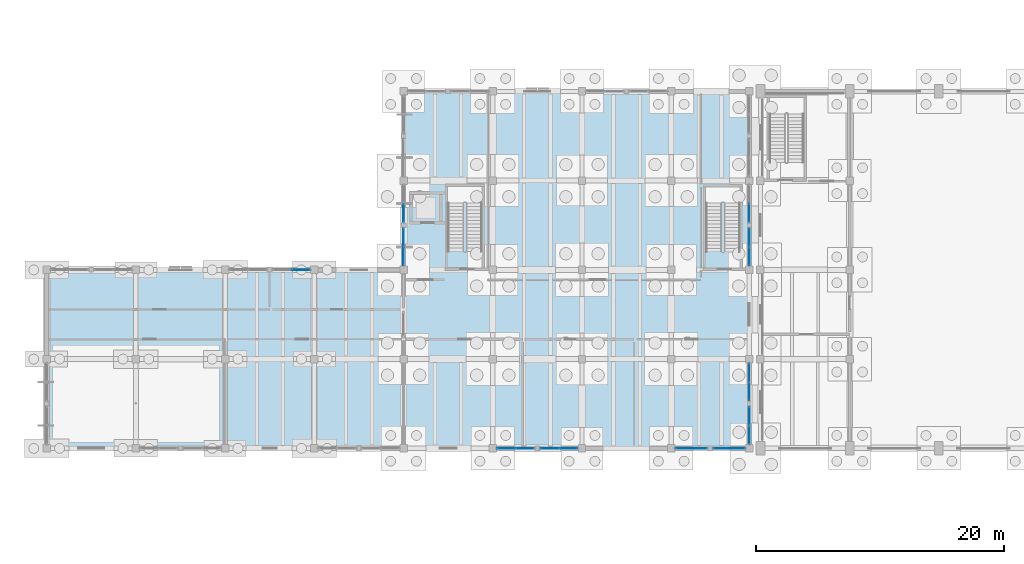
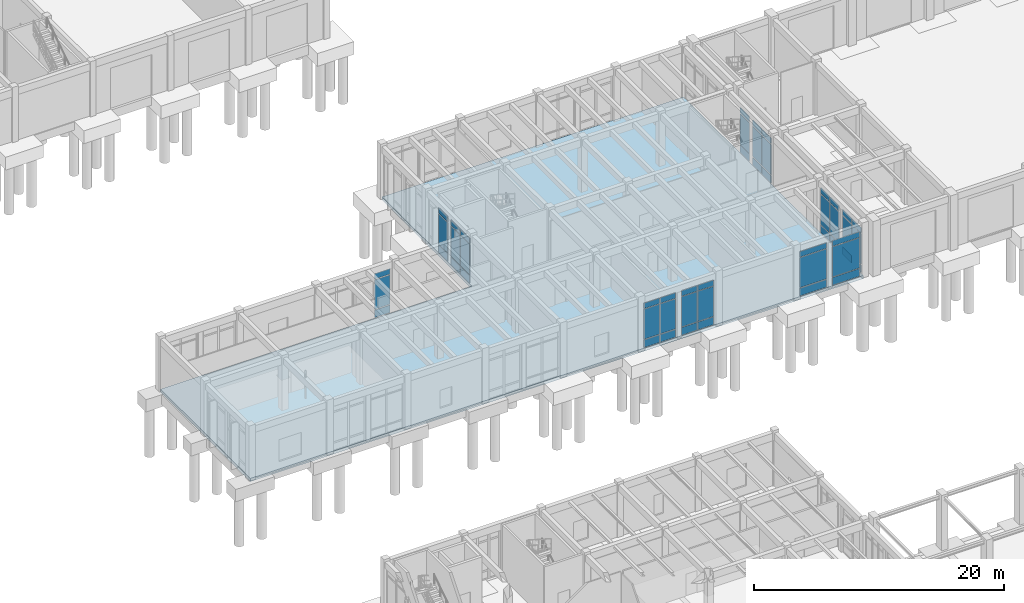
# One storey, part 52 of 93: 51 plates, 1 slab, 11 elements without a shape of their own.
"""IFC4 building model written with IfcOpenShell, lengths in metres."""

import ifcopenshell
import ifcopenshell.guid

model = None  # the IFC model being written
_history = None  # IfcOwnerHistory: only IFC2X3 demands one
_inside = {}  # id of a spatial element -> (the spatial element, [elements in it])
_under = {}  # id of a project, library or spatial element -> (it, [spatial elements below it])
_declared = {}  # id of a project -> (the project, [libraries it declares])
_typed = {}  # id of a type object -> (the type object, [elements of that type])
_made_of = {}  # id of a material, layer set ... -> (it, [elements and type objects made of it])


def new_model(schema):
    """Start an empty IFC model of exactly this schema.

    Asked for "IFC4X3", IfcOpenShell would pick the latest addendum, in which some entities
    have other attributes; the version numbers below select the first issue.
    IFC2X3 requires an IfcOwnerHistory on every rooted entity: one is made here for all.
    """
    global model, _history
    if schema == "IFC4X3":
        model = ifcopenshell.file(schema_version=(4, 3, 0, 0))
    else:
        model = ifcopenshell.file(schema=schema)
    _inside.clear()
    _under.clear()
    _declared.clear()
    _typed.clear()
    _made_of.clear()
    _history = None
    if model.schema == "IFC2X3":
        org = make("IfcOrganization", Name="unknown")
        user = make(
            "IfcPersonAndOrganization",
            ThePerson=make("IfcPerson", FamilyName="unknown"),
            TheOrganization=org,
        )
        app = make(
            "IfcApplication",
            ApplicationDeveloper=org,
            Version="unknown",
            ApplicationFullName="unknown",
            ApplicationIdentifier="unknown",
        )
        _history = make(
            "IfcOwnerHistory",
            OwningUser=user,
            OwningApplication=app,
            ChangeAction="ADDED",
            CreationDate=0,
        )
    return model


def make(cls, **values):
    """One entity of the class cls with the attributes given. An attribute that is None is left unset."""
    return model.create_entity(
        cls, **{name: value for name, value in values.items() if value is not None}
    )


def rooted(cls, **values):
    """An entity with a GlobalId (a new one), such as an element, a storey or a relation."""
    return make(cls, GlobalId=ifcopenshell.guid.new(), OwnerHistory=_history, **values)


def si_unit(unit_type, name, prefix=None):
    """IfcSIUnit, for example si_unit("LENGTHUNIT", "METRE", prefix="MILLI")."""
    return make("IfcSIUnit", UnitType=unit_type, Prefix=prefix, Name=name)


def assignment(units):
    """IfcUnitAssignment: the units of a project."""
    return None if units is None else make("IfcUnitAssignment", Units=units)


def point(xyz):
    """IfcCartesianPoint."""
    return None if xyz is None else make("IfcCartesianPoint", Coordinates=xyz)


def direction(xyz):
    """IfcDirection."""
    return None if xyz is None else make("IfcDirection", DirectionRatios=xyz)


def frame(location, z_axis=None, x_axis=None):
    """IfcAxis2Placement3D, a coordinate frame: its origin and axes. An axis left out is left unset."""
    return make(
        "IfcAxis2Placement3D",
        Location=point(location),
        Axis=direction(z_axis),
        RefDirection=direction(x_axis),
    )


def frame_2d(location, x_axis=None):
    """IfcAxis2Placement2D, a coordinate frame in the plane: its origin and x axis."""
    return make(
        "IfcAxis2Placement2D", Location=point(location), RefDirection=direction(x_axis)
    )


def origin():
    """The frame at (0, 0, 0) with its axes left unset."""
    return frame((0.0, 0.0, 0.0))


def origin_2d():
    """The frame at (0, 0) in the plane with its x axis left unset."""
    return frame_2d((0.0, 0.0))


def place(relative_to, where):
    """IfcLocalPlacement: puts the frame where relative to a parent placement (None: the world)."""
    return make(
        "IfcLocalPlacement", PlacementRelTo=relative_to, RelativePlacement=where
    )


def context(
    kind, dimensions, precision=None, world=None, true_north=None, identifier=None
):
    """IfcGeometricRepresentationContext, for example the 3D "Model" context."""
    return make(
        "IfcGeometricRepresentationContext",
        ContextIdentifier=identifier,
        ContextType=kind,
        CoordinateSpaceDimension=dimensions,
        Precision=precision,
        WorldCoordinateSystem=world,
        TrueNorth=true_north,
    )


def subcontext(parent, identifier, kind, view, scale=None):
    """IfcGeometricRepresentationSubContext, for example "Body" below "Model"."""
    return make(
        "IfcGeometricRepresentationSubContext",
        ContextIdentifier=identifier,
        ContextType=kind,
        ParentContext=parent,
        TargetScale=scale,
        TargetView=view,
    )


def project(units=None, contexts=None):
    """IfcProject with its units and contexts."""
    return rooted(
        "IfcProject",
        Name="project",
        RepresentationContexts=contexts,
        UnitsInContext=assignment(units),
    )


def spatial(cls, under=None, at=None, **own):
    """A site, building, storey or space (cls), placed at a placement, below another one or the project."""
    s = rooted(cls, ObjectPlacement=at, **own)
    if under is not None:
        _under.setdefault(under.id(), (under, []))[1].append(s)
    return s


def polyline(points):
    """IfcPolyline through the points."""
    return make("IfcPolyline", Points=[point(p) for p in points])


def profile(cls, at=None, kind="AREA", **sizes):
    """A parametric profile (cls). Its sizes go by their IFC names, for example OverallWidth=200.0."""
    return make(cls, ProfileType=kind, Position=at, **sizes)


def rectangle(**sizes):
    """IfcRectangleProfileDef."""
    return profile("IfcRectangleProfileDef", **sizes)


def outline(outer, holes=None, kind="AREA"):
    """IfcArbitraryClosedProfileDef: a profile drawn as a closed curve; with holes, ...WithVoids."""
    if holes is None:
        return make("IfcArbitraryClosedProfileDef", ProfileType=kind, OuterCurve=outer)
    return make(
        "IfcArbitraryProfileDefWithVoids",
        ProfileType=kind,
        OuterCurve=outer,
        InnerCurves=holes,
    )


def extrude(swept, where, along, depth):
    """IfcExtrudedAreaSolid: the profile swept, set in the frame where, extruded along a direction by depth."""
    return make(
        "IfcExtrudedAreaSolid",
        SweptArea=swept,
        Position=where,
        ExtrudedDirection=direction(along),
        Depth=depth,
    )


def shape(context_of_items, identifier, shape_type, items):
    """IfcShapeRepresentation: the items that make up one representation, for example the "Body"."""
    return make(
        "IfcShapeRepresentation",
        ContextOfItems=context_of_items,
        RepresentationIdentifier=identifier,
        RepresentationType=shape_type,
        Items=items,
    )


def material(Name=None, Category=None):
    """IfcMaterial."""
    return make("IfcMaterial", Name=Name, Category=Category)


def layer(
    of_material, thickness, ventilated=None, Name=None, Category=None, Priority=None
):
    """IfcMaterialLayer: one layer of a wall or slab, of a material (None: an air gap)."""
    return make(
        "IfcMaterialLayer",
        Material=of_material,
        LayerThickness=thickness,
        IsVentilated=ventilated,
        Name=Name,
        Category=Category,
        Priority=Priority,
    )


def layer_set(layers, Name=None):
    """IfcMaterialLayerSet."""
    return make("IfcMaterialLayerSet", MaterialLayers=layers, LayerSetName=Name)


def made_of(thing, what):
    """Note that an element or type object is made of a material, layer set ...; save() writes the relation."""
    if what is not None:
        _made_of.setdefault(what.id(), (what, []))[1].append(thing)
    return thing


def type_object(cls, material=None, **own):
    """A type object (cls), such as IfcWallType, which elements share."""
    return made_of(rooted(cls, **own), material)


def element(
    cls,
    number,
    at=None,
    inside=None,
    cuts=None,
    type_object=None,
    material=None,
    context=None,
    identifier="Body",
    shape_type=None,
    held_by="IfcProductDefinitionShape",
    body=None,
    shapes=None,
    **own,
):
    """One element of the class cls, such as IfcWall. Its Tag is "e" and its number.

    at: its placement. inside: the storey or other place that contains it. cuts: it is an
    opening in that element (IfcRelVoidsElement). A single representation is given by context,
    identifier, shape_type and body (its items); several are given by shapes. held_by: the class
    of the entity that holds the representations. save() writes the other relations.
    """
    e = rooted(cls, Tag="e%d" % number, ObjectPlacement=at, **own)
    if body is not None:
        shapes = [shape(context, identifier, shape_type, body)]
    if shapes is not None:
        e.Representation = make(held_by, Representations=shapes)
    if inside is not None:
        _inside.setdefault(inside.id(), (inside, []))[1].append(e)
    if cuts is not None:
        rooted(
            "IfcRelVoidsElement", RelatingBuildingElement=cuts, RelatedOpeningElement=e
        )
    if type_object is not None:
        _typed.setdefault(type_object.id(), (type_object, []))[1].append(e)
    return made_of(e, material)


def aggregate(whole, parts):
    """IfcRelAggregates: a whole, such as a stair, and the parts it consists of."""
    return rooted("IfcRelAggregates", RelatingObject=whole, RelatedObjects=parts)


def save(model, path):
    """Write the relations noted so far, then the file.

    IfcRelAggregates (storeys below a building ...), IfcRelContainedInSpatialStructure (elements
    in a storey), IfcRelDefinesByType, IfcRelAssociatesMaterial and IfcRelDeclares: one each for
    every whole, place, type object, material and project.
    """
    for whole, parts in _under.values():
        aggregate(whole, parts)
    for where, things in _inside.values():
        rooted(
            "IfcRelContainedInSpatialStructure",
            RelatedElements=things,
            RelatingStructure=where,
        )
    for kind, things in _typed.values():
        rooted("IfcRelDefinesByType", RelatedObjects=things, RelatingType=kind)
    for what, things in _made_of.values():
        rooted("IfcRelAssociatesMaterial", RelatedObjects=things, RelatingMaterial=what)
    for by, libraries in _declared.values():
        rooted("IfcRelDeclares", RelatingContext=by, RelatedDefinitions=libraries)
    model.write(path)


model = new_model("IFC4")

# Units and contexts
model_context = context("Model", 3, precision=1e-05, world=origin(), true_north=direction((0.0, 1.0)))
body_context = subcontext(model_context, "Body", "Model", "MODEL_VIEW")
ifc_project = project(units=[si_unit("LENGTHUNIT", "METRE"), si_unit("AREAUNIT", "SQUARE_METRE"), si_unit("VOLUMEUNIT", "CUBIC_METRE"), si_unit("PLANEANGLEUNIT", "RADIAN"), si_unit("MASSUNIT", "GRAM", prefix="KILO")], contexts=[model_context])

# Site, building, storey
site_placement = place(None, origin())
site = spatial("IfcSite", under=ifc_project, at=site_placement, CompositionType="ELEMENT")
building_placement = place(site_placement, origin())
building = spatial("IfcBuilding", under=site, at=building_placement, Name="Koriwan Promenade Central Fire Station", CompositionType="ELEMENT")
storey_placement = place(building_placement, origin())
storey = spatial("IfcBuildingStorey", under=building, at=storey_placement, Name="L00", CompositionType="ELEMENT", Elevation=0.0)

# Slab
ifc_material_1 = material(Name="Concrete C35/45", Category="concrete")
ifc_layer_1 = layer(ifc_material_1, 0.300048828125, Name="Concrete C35/45")
ifc_layer_set_1 = layer_set([ifc_layer_1], Name="Concrete C35/45")
slab_type = type_object("IfcSlabType", Name="BaseSlab_300", PredefinedType="BASESLAB", material=ifc_layer_set_1)
slab_placement = place(storey_placement, frame((0.0, 0.0, -0.300048828125)))
element("IfcSlab", 1, at=slab_placement, inside=storey, type_object=slab_type, Name="V4 L00 structural slab 1", PredefinedType="BASESLAB", context=body_context, shape_type="SweptSolid", body=[
    extrude(outline(polyline([(0.0, 43.199951171875), (0.0, 57.60009765625), (28.800048828125, 57.60009765625), (28.800048828125, 72.0), (56.699951171875, 72.0), (56.699951171875, 43.199951171875), (28.800048828125, 43.199951171875), (0.0, 43.199951171875)])), origin(), (0.0, 0.0, 1.0), 0.300048828125),
])

# Curtain wall, plates
ifc_material_2 = material(Name="Aluminium EN AW-6063-T6 and low-E glazing", Category="aluminium")
ifc_layer_2 = layer(ifc_material_2, 0.159912109375, Name="Aluminium EN AW-6063-T6 and low-E glazing")
ifc_layer_set_2 = layer_set([ifc_layer_2], Name="Aluminium EN AW-6063-T6 and low-E glazing")
curtain_wall_type_1 = type_object("IfcCurtainWallType", Name="CurtainWall_33_310x454", PredefinedType="USERDEFINED", material=ifc_layer_set_2)
curtain_wall_1_placement = place(storey_placement, origin())
curtain_wall_1 = element("IfcCurtainWall", 2, at=curtain_wall_1_placement, inside=storey, type_object=curtain_wall_type_1, Name="V4 L00 unitised curtain wall 087", ObjectType="UNITISED CURTAIN WALL", PredefinedType="USERDEFINED")
ifc_material_3 = material(Name="Low-E laminated double glazing", Category="glass")
ifc_layer_3 = layer(ifc_material_3, 0.028076171875, Name="Low-E laminated double glazing")
ifc_layer_set_3 = layer_set([ifc_layer_3], Name="Low-E laminated double glazing")
plate_type_1 = type_object("IfcPlateType", Name="CWPanel_28", PredefinedType="CURTAIN_PANEL", material=ifc_layer_set_3)
plate_1_placement = place(storey_placement, frame((28.800048828125, 58.691162109375, 0.06494140625), z_axis=(0.0, 0.0, 1.0), x_axis=(0.0, 1.0, 0.0)))
plate_1 = element("IfcPlate", 3, at=plate_1_placement, type_object=plate_type_1, Name="CW-33 panel 1.1", PredefinedType="CURTAIN_PANEL", context=body_context, shape_type="SweptSolid", body=[
    extrude(rectangle(XDim=1.452392578125, YDim=0.028076171875, at=origin_2d()), origin(), (0.0, 0.0, 1.0), 0.75244140625),
])
plate_2_placement = place(storey_placement, frame((28.800048828125, 58.691162109375, 0.882568359375), z_axis=(0.0, 0.0, 1.0), x_axis=(0.0, 1.0, 0.0)))
plate_2 = element("IfcPlate", 4, at=plate_2_placement, type_object=plate_type_1, Name="CW-33 panel 1.2", PredefinedType="CURTAIN_PANEL", context=body_context, shape_type="SweptSolid", body=[
    extrude(rectangle(XDim=1.452392578125, YDim=0.028076171875, at=origin_2d()), origin(), (0.0, 0.0, 1.0), 2.97509765625),
])
plate_3_placement = place(storey_placement, frame((28.800048828125, 58.691162109375, 3.92236328125), z_axis=(0.0, 0.0, 1.0), x_axis=(0.0, 1.0, 0.0)))
plate_3 = element("IfcPlate", 5, at=plate_3_placement, type_object=plate_type_1, Name="CW-33 panel 1.3", PredefinedType="CURTAIN_PANEL", context=body_context, shape_type="SweptSolid", body=[
    extrude(rectangle(XDim=1.452392578125, YDim=0.028076171875, at=origin_2d()), origin(), (0.0, 0.0, 1.0), 0.552490234375),
])
plate_4_placement = place(storey_placement, frame((28.800048828125, 60.208740234375, 0.06494140625), z_axis=(0.0, 0.0, 1.0), x_axis=(0.0, 1.0, 0.0)))
plate_4 = element("IfcPlate", 6, at=plate_4_placement, type_object=plate_type_1, Name="CW-33 panel 2.1", PredefinedType="CURTAIN_PANEL", context=body_context, shape_type="SweptSolid", body=[
    extrude(rectangle(XDim=1.452392578125, YDim=0.028076171875, at=origin_2d()), origin(), (0.0, 0.0, 1.0), 0.75244140625),
])
plate_5_placement = place(storey_placement, frame((28.800048828125, 60.208740234375, 0.882568359375), z_axis=(0.0, 0.0, 1.0), x_axis=(0.0, 1.0, 0.0)))
plate_5 = element("IfcPlate", 7, at=plate_5_placement, type_object=plate_type_1, Name="CW-33 panel 2.2", PredefinedType="CURTAIN_PANEL", context=body_context, shape_type="SweptSolid", body=[
    extrude(rectangle(XDim=1.452392578125, YDim=0.028076171875, at=origin_2d()), origin(), (0.0, 0.0, 1.0), 2.97509765625),
])
plate_6_placement = place(storey_placement, frame((28.800048828125, 60.208740234375, 3.92236328125), z_axis=(0.0, 0.0, 1.0), x_axis=(0.0, 1.0, 0.0)))
plate_6 = element("IfcPlate", 8, at=plate_6_placement, type_object=plate_type_1, Name="CW-33 panel 2.3", PredefinedType="CURTAIN_PANEL", context=body_context, shape_type="SweptSolid", body=[
    extrude(rectangle(XDim=1.452392578125, YDim=0.028076171875, at=origin_2d()), origin(), (0.0, 0.0, 1.0), 0.552490234375),
])
aggregate(curtain_wall_1, [plate_1, plate_2, plate_3, plate_4, plate_5, plate_6])

curtain_wall_2_placement = place(storey_placement, origin())
curtain_wall_2 = element("IfcCurtainWall", 9, at=curtain_wall_2_placement, inside=storey, type_object=curtain_wall_type_1, Name="V4 L00 unitised curtain wall 097", ObjectType="UNITISED CURTAIN WALL", PredefinedType="USERDEFINED")
plate_7_placement = place(storey_placement, frame((56.699951171875, 62.191162109375, 0.06494140625), z_axis=(0.0, 0.0, 1.0), x_axis=(0.0, -1.0, 0.0)))
plate_7 = element("IfcPlate", 10, at=plate_7_placement, type_object=plate_type_1, Name="CW-33 panel 2.1", PredefinedType="CURTAIN_PANEL", context=body_context, shape_type="SweptSolid", body=[
    extrude(rectangle(XDim=1.452392578125, YDim=0.028076171875, at=origin_2d()), origin(), (0.0, 0.0, 1.0), 0.75244140625),
])
plate_8_placement = place(storey_placement, frame((56.699951171875, 62.191162109375, 0.882568359375), z_axis=(0.0, 0.0, 1.0), x_axis=(0.0, -1.0, 0.0)))
plate_8 = element("IfcPlate", 11, at=plate_8_placement, type_object=plate_type_1, Name="CW-33 panel 2.2", PredefinedType="CURTAIN_PANEL", context=body_context, shape_type="SweptSolid", body=[
    extrude(rectangle(XDim=1.452392578125, YDim=0.028076171875, at=origin_2d()), origin(), (0.0, 0.0, 1.0), 2.97509765625),
])
plate_9_placement = place(storey_placement, frame((56.699951171875, 62.191162109375, 3.92236328125), z_axis=(0.0, 0.0, 1.0), x_axis=(0.0, -1.0, 0.0)))
plate_9 = element("IfcPlate", 12, at=plate_9_placement, type_object=plate_type_1, Name="CW-33 panel 2.3", PredefinedType="CURTAIN_PANEL", context=body_context, shape_type="SweptSolid", body=[
    extrude(rectangle(XDim=1.452392578125, YDim=0.028076171875, at=origin_2d()), origin(), (0.0, 0.0, 1.0), 0.552490234375),
])
aggregate(curtain_wall_2, [plate_7, plate_8, plate_9])

curtain_wall_3_placement = place(storey_placement, origin())
curtain_wall_3 = element("IfcCurtainWall", 13, at=curtain_wall_3_placement, inside=storey, type_object=curtain_wall_type_1, Name="V4 L00 unitised curtain wall 099", ObjectType="UNITISED CURTAIN WALL", PredefinedType="USERDEFINED")
plate_10_placement = place(storey_placement, frame((56.699951171875, 49.308837890625, 0.06494140625), z_axis=(0.0, 0.0, 1.0), x_axis=(0.0, -1.0, 0.0)))
plate_10 = element("IfcPlate", 14, at=plate_10_placement, type_object=plate_type_1, Name="CW-33 panel 1.1", PredefinedType="CURTAIN_PANEL", context=body_context, shape_type="SweptSolid", body=[
    extrude(rectangle(XDim=1.452392578125, YDim=0.028076171875, at=origin_2d()), origin(), (0.0, 0.0, 1.0), 0.75244140625),
])
plate_11_placement = place(storey_placement, frame((56.699951171875, 49.308837890625, 0.882568359375), z_axis=(0.0, 0.0, 1.0), x_axis=(0.0, -1.0, 0.0)))
plate_11 = element("IfcPlate", 15, at=plate_11_placement, type_object=plate_type_1, Name="CW-33 panel 1.2", PredefinedType="CURTAIN_PANEL", context=body_context, shape_type="SweptSolid", body=[
    extrude(rectangle(XDim=1.452392578125, YDim=0.028076171875, at=origin_2d()), origin(), (0.0, 0.0, 1.0), 2.97509765625),
])
plate_12_placement = place(storey_placement, frame((56.699951171875, 49.308837890625, 3.92236328125), z_axis=(0.0, 0.0, 1.0), x_axis=(0.0, -1.0, 0.0)))
plate_12 = element("IfcPlate", 16, at=plate_12_placement, type_object=plate_type_1, Name="CW-33 panel 1.3", PredefinedType="CURTAIN_PANEL", context=body_context, shape_type="SweptSolid", body=[
    extrude(rectangle(XDim=1.452392578125, YDim=0.028076171875, at=origin_2d()), origin(), (0.0, 0.0, 1.0), 0.552490234375),
])
plate_13_placement = place(storey_placement, frame((56.699951171875, 47.791259765625, 0.06494140625), z_axis=(0.0, 0.0, 1.0), x_axis=(0.0, -1.0, 0.0)))
plate_13 = element("IfcPlate", 17, at=plate_13_placement, type_object=plate_type_1, Name="CW-33 panel 2.1", PredefinedType="CURTAIN_PANEL", context=body_context, shape_type="SweptSolid", body=[
    extrude(rectangle(XDim=1.452392578125, YDim=0.028076171875, at=origin_2d()), origin(), (0.0, 0.0, 1.0), 0.75244140625),
])
plate_14_placement = place(storey_placement, frame((56.699951171875, 47.791259765625, 0.882568359375), z_axis=(0.0, 0.0, 1.0), x_axis=(0.0, -1.0, 0.0)))
plate_14 = element("IfcPlate", 18, at=plate_14_placement, type_object=plate_type_1, Name="CW-33 panel 2.2", PredefinedType="CURTAIN_PANEL", context=body_context, shape_type="SweptSolid", body=[
    extrude(rectangle(XDim=1.452392578125, YDim=0.028076171875, at=origin_2d()), origin(), (0.0, 0.0, 1.0), 2.97509765625),
])
plate_15_placement = place(storey_placement, frame((56.699951171875, 47.791259765625, 3.92236328125), z_axis=(0.0, 0.0, 1.0), x_axis=(0.0, -1.0, 0.0)))
plate_15 = element("IfcPlate", 19, at=plate_15_placement, type_object=plate_type_1, Name="CW-33 panel 2.3", PredefinedType="CURTAIN_PANEL", context=body_context, shape_type="SweptSolid", body=[
    extrude(rectangle(XDim=1.452392578125, YDim=0.028076171875, at=origin_2d()), origin(), (0.0, 0.0, 1.0), 0.552490234375),
])
aggregate(curtain_wall_3, [plate_10, plate_11, plate_12, plate_13, plate_14, plate_15])

ifc_layer_4 = layer(ifc_material_2, 0.159912109375, Name="Aluminium EN AW-6063-T6 and low-E glazing")
ifc_layer_set_4 = layer_set([ifc_layer_4], Name="Aluminium EN AW-6063-T6 and low-E glazing")
curtain_wall_type_2 = type_object("IfcCurtainWallType", Name="CurtainWall_40_265x449", PredefinedType="USERDEFINED", material=ifc_layer_set_4)
curtain_wall_4_placement = place(storey_placement, origin())
curtain_wall_4 = element("IfcCurtainWall", 20, at=curtain_wall_4_placement, inside=storey, type_object=curtain_wall_type_2, Name="V4 L00 unitised curtain wall 101", ObjectType="UNITISED CURTAIN WALL", PredefinedType="USERDEFINED")
plate_16_placement = place(storey_placement, frame((55.074951171875, 43.199951171875, 0.06494140625), z_axis=(0.0, 0.0, 1.0), x_axis=(-1.0, 0.0, 0.0)))
plate_16 = element("IfcPlate", 21, at=plate_16_placement, type_object=plate_type_1, Name="CW-40 panel 1.1", PredefinedType="CURTAIN_PANEL", context=body_context, shape_type="SweptSolid", body=[
    extrude(rectangle(XDim=2.52001953125, YDim=0.028076171875, at=origin_2d()), origin(), (0.0, 0.0, 1.0), 0.75244140625),
])
plate_17_placement = place(storey_placement, frame((55.074951171875, 43.199951171875, 0.88232421875), z_axis=(0.0, 0.0, 1.0), x_axis=(-1.0, 0.0, 0.0)))
plate_17 = element("IfcPlate", 22, at=plate_17_placement, type_object=plate_type_1, Name="CW-40 panel 1.2", PredefinedType="CURTAIN_PANEL", context=body_context, shape_type="SweptSolid", body=[
    extrude(rectangle(XDim=2.52001953125, YDim=0.028076171875, at=origin_2d()), origin(), (0.0, 0.0, 1.0), 2.925048828125),
])
plate_18_placement = place(storey_placement, frame((55.074951171875, 43.199951171875, 3.87255859375), z_axis=(0.0, 0.0, 1.0), x_axis=(-1.0, 0.0, 0.0)))
plate_18 = element("IfcPlate", 23, at=plate_18_placement, type_object=plate_type_1, Name="CW-40 panel 1.3", PredefinedType="CURTAIN_PANEL", context=body_context, shape_type="SweptSolid", body=[
    extrude(rectangle(XDim=2.52001953125, YDim=0.028076171875, at=origin_2d()), origin(), (0.0, 0.0, 1.0), 0.552490234375),
])
aggregate(curtain_wall_4, [plate_16, plate_17, plate_18])

ifc_layer_5 = layer(ifc_material_2, 0.159912109375, Name="Aluminium EN AW-6063-T6 and low-E glazing")
ifc_layer_set_5 = layer_set([ifc_layer_5], Name="Aluminium EN AW-6063-T6 and low-E glazing")
curtain_wall_type_3 = type_object("IfcCurtainWallType", Name="CurtainWall_24_310x449", PredefinedType="USERDEFINED", material=ifc_layer_set_5)
curtain_wall_5_placement = place(storey_placement, origin())
curtain_wall_5 = element("IfcCurtainWall", 24, at=curtain_wall_5_placement, inside=storey, type_object=curtain_wall_type_3, Name="V4 L00 unitised curtain wall 103", ObjectType="UNITISED CURTAIN WALL", PredefinedType="USERDEFINED")
plate_19_placement = place(storey_placement, frame((42.108642578125, 43.199951171875, 0.06494140625), z_axis=(0.0, 0.0, 1.0), x_axis=(-1.0, 0.0, 0.0)))
plate_19 = element("IfcPlate", 25, at=plate_19_placement, type_object=plate_type_1, Name="CW-24 panel 1.1", PredefinedType="CURTAIN_PANEL", context=body_context, shape_type="SweptSolid", body=[
    extrude(rectangle(XDim=1.452392578125, YDim=0.028076171875, at=origin_2d()), origin(), (0.0, 0.0, 1.0), 0.75244140625),
])
plate_20_placement = place(storey_placement, frame((42.108642578125, 43.199951171875, 0.88232421875), z_axis=(0.0, 0.0, 1.0), x_axis=(-1.0, 0.0, 0.0)))
plate_20 = element("IfcPlate", 26, at=plate_20_placement, type_object=plate_type_1, Name="CW-24 panel 1.2", PredefinedType="CURTAIN_PANEL", context=body_context, shape_type="SweptSolid", body=[
    extrude(rectangle(XDim=1.452392578125, YDim=0.028076171875, at=origin_2d()), origin(), (0.0, 0.0, 1.0), 2.925048828125),
])
plate_21_placement = place(storey_placement, frame((42.108642578125, 43.199951171875, 3.87255859375), z_axis=(0.0, 0.0, 1.0), x_axis=(-1.0, 0.0, 0.0)))
plate_21 = element("IfcPlate", 27, at=plate_21_placement, type_object=plate_type_1, Name="CW-24 panel 1.3", PredefinedType="CURTAIN_PANEL", context=body_context, shape_type="SweptSolid", body=[
    extrude(rectangle(XDim=1.452392578125, YDim=0.028076171875, at=origin_2d()), origin(), (0.0, 0.0, 1.0), 0.552490234375),
])
plate_22_placement = place(storey_placement, frame((40.59130859375, 43.199951171875, 0.06494140625), z_axis=(0.0, 0.0, 1.0), x_axis=(-1.0, 0.0, 0.0)))
plate_22 = element("IfcPlate", 28, at=plate_22_placement, type_object=plate_type_1, Name="CW-24 panel 2.1", PredefinedType="CURTAIN_PANEL", context=body_context, shape_type="SweptSolid", body=[
    extrude(rectangle(XDim=1.452392578125, YDim=0.028076171875, at=origin_2d()), origin(), (0.0, 0.0, 1.0), 0.75244140625),
])
plate_23_placement = place(storey_placement, frame((40.59130859375, 43.199951171875, 0.88232421875), z_axis=(0.0, 0.0, 1.0), x_axis=(-1.0, 0.0, 0.0)))
plate_23 = element("IfcPlate", 29, at=plate_23_placement, type_object=plate_type_1, Name="CW-24 panel 2.2", PredefinedType="CURTAIN_PANEL", context=body_context, shape_type="SweptSolid", body=[
    extrude(rectangle(XDim=1.452392578125, YDim=0.028076171875, at=origin_2d()), origin(), (0.0, 0.0, 1.0), 2.925048828125),
])
plate_24_placement = place(storey_placement, frame((40.59130859375, 43.199951171875, 3.87255859375), z_axis=(0.0, 0.0, 1.0), x_axis=(-1.0, 0.0, 0.0)))
plate_24 = element("IfcPlate", 30, at=plate_24_placement, type_object=plate_type_1, Name="CW-24 panel 2.3", PredefinedType="CURTAIN_PANEL", context=body_context, shape_type="SweptSolid", body=[
    extrude(rectangle(XDim=1.452392578125, YDim=0.028076171875, at=origin_2d()), origin(), (0.0, 0.0, 1.0), 0.552490234375),
])
aggregate(curtain_wall_5, [plate_19, plate_20, plate_21, plate_22, plate_23, plate_24])

ifc_layer_6 = layer(ifc_material_2, 0.159912109375, Name="Aluminium EN AW-6063-T6 and low-E glazing")
ifc_layer_set_6 = layer_set([ifc_layer_6], Name="Aluminium EN AW-6063-T6 and low-E glazing")
curtain_wall_type_4 = type_object("IfcCurtainWallType", Name="CurtainWall_38_310x445", PredefinedType="USERDEFINED", material=ifc_layer_set_6)
curtain_wall_6_placement = place(storey_placement, origin())
curtain_wall_6 = element("IfcCurtainWall", 31, at=curtain_wall_6_placement, inside=storey, type_object=curtain_wall_type_4, Name="V4 L00 unitised curtain wall 086", ObjectType="UNITISED CURTAIN WALL", PredefinedType="USERDEFINED")
ifc_material_4 = material(Name="Solar-control low-E acoustic glazing", Category="glass")
ifc_layer_7 = layer(ifc_material_4, 0.031982421875, Name="Solar-control low-E acoustic glazing")
ifc_layer_set_7 = layer_set([ifc_layer_7], Name="Solar-control low-E acoustic glazing")
plate_type_2 = type_object("IfcPlateType", Name="CWPanel_32", PredefinedType="CURTAIN_PANEL", material=ifc_layer_set_7)
plate_25_placement = place(storey_placement, frame((20.50634765625, 57.60009765625, 0.0751953125), z_axis=(0.0, 0.0, 1.0), x_axis=(1.0, 0.0, 0.0)))
plate_25 = element("IfcPlate", 32, at=plate_25_placement, type_object=plate_type_2, Name="CW-38 panel 2.1", PredefinedType="CURTAIN_PANEL", context=body_context, shape_type="SweptSolid", body=[
    extrude(rectangle(XDim=1.4375, YDim=0.031982421875, at=origin_2d()), origin(), (0.0, 0.0, 1.0), 0.737548828125),
])
plate_26_placement = place(storey_placement, frame((20.50634765625, 57.60009765625, 0.887451171875), z_axis=(0.0, 0.0, 1.0), x_axis=(1.0, 0.0, 0.0)))
plate_26 = element("IfcPlate", 33, at=plate_26_placement, type_object=plate_type_2, Name="CW-38 panel 2.2", PredefinedType="CURTAIN_PANEL", context=body_context, shape_type="SweptSolid", body=[
    extrude(rectangle(XDim=1.4375, YDim=0.031982421875, at=origin_2d()), origin(), (0.0, 0.0, 1.0), 2.875),
])
plate_27_placement = place(storey_placement, frame((20.50634765625, 57.60009765625, 3.83740234375), z_axis=(0.0, 0.0, 1.0), x_axis=(1.0, 0.0, 0.0)))
plate_27 = element("IfcPlate", 34, at=plate_27_placement, type_object=plate_type_2, Name="CW-38 panel 2.3", PredefinedType="CURTAIN_PANEL", context=body_context, shape_type="SweptSolid", body=[
    extrude(rectangle(XDim=1.4375, YDim=0.031982421875, at=origin_2d()), origin(), (0.0, 0.0, 1.0), 0.53759765625),
])
aggregate(curtain_wall_6, [plate_25, plate_26, plate_27])

ifc_layer_8 = layer(ifc_material_2, 0.159912109375, Name="Aluminium EN AW-6063-T6 and low-E glazing")
ifc_layer_set_8 = layer_set([ifc_layer_8], Name="Aluminium EN AW-6063-T6 and low-E glazing")
curtain_wall_type_5 = type_object("IfcCurtainWallType", Name="CurtainWall_34_310x454", PredefinedType="USERDEFINED", material=ifc_layer_set_8)
curtain_wall_7_placement = place(storey_placement, origin())
curtain_wall_7 = element("IfcCurtainWall", 35, at=curtain_wall_7_placement, inside=storey, type_object=curtain_wall_type_5, Name="V4 L00 unitised curtain wall 088", ObjectType="UNITISED CURTAIN WALL", PredefinedType="USERDEFINED")
plate_28_placement = place(storey_placement, frame((28.800048828125, 62.19384765625, 0.0751953125), z_axis=(0.0, 0.0, 1.0), x_axis=(0.0, 1.0, 0.0)))
plate_28 = element("IfcPlate", 36, at=plate_28_placement, type_object=plate_type_2, Name="CW-34 panel 1.1", PredefinedType="CURTAIN_PANEL", context=body_context, shape_type="SweptSolid", body=[
    extrude(rectangle(XDim=1.4375, YDim=0.031982421875, at=origin_2d()), origin(), (0.0, 0.0, 1.0), 0.737548828125),
])
plate_29_placement = place(storey_placement, frame((28.800048828125, 62.19384765625, 0.8876953125), z_axis=(0.0, 0.0, 1.0), x_axis=(0.0, 1.0, 0.0)))
plate_29 = element("IfcPlate", 37, at=plate_29_placement, type_object=plate_type_2, Name="CW-34 panel 1.2", PredefinedType="CURTAIN_PANEL", context=body_context, shape_type="SweptSolid", body=[
    extrude(rectangle(XDim=1.4375, YDim=0.031982421875, at=origin_2d()), origin(), (0.0, 0.0, 1.0), 2.965087890625),
])
plate_30_placement = place(storey_placement, frame((28.800048828125, 62.19384765625, 3.927490234375), z_axis=(0.0, 0.0, 1.0), x_axis=(0.0, 1.0, 0.0)))
plate_30 = element("IfcPlate", 38, at=plate_30_placement, type_object=plate_type_2, Name="CW-34 panel 1.3", PredefinedType="CURTAIN_PANEL", context=body_context, shape_type="SweptSolid", body=[
    extrude(rectangle(XDim=1.4375, YDim=0.031982421875, at=origin_2d()), origin(), (0.0, 0.0, 1.0), 0.53759765625),
])
aggregate(curtain_wall_7, [plate_28, plate_29, plate_30])

curtain_wall_8_placement = place(storey_placement, origin())
curtain_wall_8 = element("IfcCurtainWall", 39, at=curtain_wall_8_placement, inside=storey, type_object=curtain_wall_type_5, Name="V4 L00 unitised curtain wall 098", ObjectType="UNITISED CURTAIN WALL", PredefinedType="USERDEFINED")
plate_31_placement = place(storey_placement, frame((56.699951171875, 60.206298828125, 0.0751953125), z_axis=(0.0, 0.0, 1.0), x_axis=(0.0, -1.0, 0.0)))
plate_31 = element("IfcPlate", 40, at=plate_31_placement, type_object=plate_type_2, Name="CW-34 panel 1.1", PredefinedType="CURTAIN_PANEL", context=body_context, shape_type="SweptSolid", body=[
    extrude(rectangle(XDim=1.4375, YDim=0.031982421875, at=origin_2d()), origin(), (0.0, 0.0, 1.0), 0.737548828125),
])
plate_32_placement = place(storey_placement, frame((56.699951171875, 60.206298828125, 0.8876953125), z_axis=(0.0, 0.0, 1.0), x_axis=(0.0, -1.0, 0.0)))
plate_32 = element("IfcPlate", 41, at=plate_32_placement, type_object=plate_type_2, Name="CW-34 panel 1.2", PredefinedType="CURTAIN_PANEL", context=body_context, shape_type="SweptSolid", body=[
    extrude(rectangle(XDim=1.4375, YDim=0.031982421875, at=origin_2d()), origin(), (0.0, 0.0, 1.0), 2.965087890625),
])
plate_33_placement = place(storey_placement, frame((56.699951171875, 60.206298828125, 3.927490234375), z_axis=(0.0, 0.0, 1.0), x_axis=(0.0, -1.0, 0.0)))
plate_33 = element("IfcPlate", 42, at=plate_33_placement, type_object=plate_type_2, Name="CW-34 panel 1.3", PredefinedType="CURTAIN_PANEL", context=body_context, shape_type="SweptSolid", body=[
    extrude(rectangle(XDim=1.4375, YDim=0.031982421875, at=origin_2d()), origin(), (0.0, 0.0, 1.0), 0.53759765625),
])
plate_34_placement = place(storey_placement, frame((56.699951171875, 58.69384765625, 0.0751953125), z_axis=(0.0, 0.0, 1.0), x_axis=(0.0, -1.0, 0.0)))
plate_34 = element("IfcPlate", 43, at=plate_34_placement, type_object=plate_type_2, Name="CW-34 panel 2.1", PredefinedType="CURTAIN_PANEL", context=body_context, shape_type="SweptSolid", body=[
    extrude(rectangle(XDim=1.4375, YDim=0.031982421875, at=origin_2d()), origin(), (0.0, 0.0, 1.0), 0.737548828125),
])
plate_35_placement = place(storey_placement, frame((56.699951171875, 58.69384765625, 0.8876953125), z_axis=(0.0, 0.0, 1.0), x_axis=(0.0, -1.0, 0.0)))
plate_35 = element("IfcPlate", 44, at=plate_35_placement, type_object=plate_type_2, Name="CW-34 panel 2.2", PredefinedType="CURTAIN_PANEL", context=body_context, shape_type="SweptSolid", body=[
    extrude(rectangle(XDim=1.4375, YDim=0.031982421875, at=origin_2d()), origin(), (0.0, 0.0, 1.0), 2.965087890625),
])
plate_36_placement = place(storey_placement, frame((56.699951171875, 58.69384765625, 3.927490234375), z_axis=(0.0, 0.0, 1.0), x_axis=(0.0, -1.0, 0.0)))
plate_36 = element("IfcPlate", 45, at=plate_36_placement, type_object=plate_type_2, Name="CW-34 panel 2.3", PredefinedType="CURTAIN_PANEL", context=body_context, shape_type="SweptSolid", body=[
    extrude(rectangle(XDim=1.4375, YDim=0.031982421875, at=origin_2d()), origin(), (0.0, 0.0, 1.0), 0.53759765625),
])
aggregate(curtain_wall_8, [plate_31, plate_32, plate_33, plate_34, plate_35, plate_36])

curtain_wall_9_placement = place(storey_placement, origin())
curtain_wall_9 = element("IfcCurtainWall", 46, at=curtain_wall_9_placement, inside=storey, type_object=curtain_wall_type_5, Name="V4 L00 unitised curtain wall 100", ObjectType="UNITISED CURTAIN WALL", PredefinedType="USERDEFINED")
plate_37_placement = place(storey_placement, frame((56.699951171875, 45.80615234375, 0.0751953125), z_axis=(0.0, 0.0, 1.0), x_axis=(0.0, -1.0, 0.0)))
plate_37 = element("IfcPlate", 47, at=plate_37_placement, type_object=plate_type_2, Name="CW-34 panel 1.1", PredefinedType="CURTAIN_PANEL", context=body_context, shape_type="SweptSolid", body=[
    extrude(rectangle(XDim=1.4375, YDim=0.031982421875, at=origin_2d()), origin(), (0.0, 0.0, 1.0), 0.737548828125),
])
plate_38_placement = place(storey_placement, frame((56.699951171875, 45.80615234375, 0.8876953125), z_axis=(0.0, 0.0, 1.0), x_axis=(0.0, -1.0, 0.0)))
plate_38 = element("IfcPlate", 48, at=plate_38_placement, type_object=plate_type_2, Name="CW-34 panel 1.2", PredefinedType="CURTAIN_PANEL", context=body_context, shape_type="SweptSolid", body=[
    extrude(rectangle(XDim=1.4375, YDim=0.031982421875, at=origin_2d()), origin(), (0.0, 0.0, 1.0), 2.965087890625),
])
plate_39_placement = place(storey_placement, frame((56.699951171875, 45.80615234375, 3.927490234375), z_axis=(0.0, 0.0, 1.0), x_axis=(0.0, -1.0, 0.0)))
plate_39 = element("IfcPlate", 49, at=plate_39_placement, type_object=plate_type_2, Name="CW-34 panel 1.3", PredefinedType="CURTAIN_PANEL", context=body_context, shape_type="SweptSolid", body=[
    extrude(rectangle(XDim=1.4375, YDim=0.031982421875, at=origin_2d()), origin(), (0.0, 0.0, 1.0), 0.53759765625),
])
plate_40_placement = place(storey_placement, frame((56.699951171875, 44.293701171875, 0.0751953125), z_axis=(0.0, 0.0, 1.0), x_axis=(0.0, -1.0, 0.0)))
plate_40 = element("IfcPlate", 50, at=plate_40_placement, type_object=plate_type_2, Name="CW-34 panel 2.1", PredefinedType="CURTAIN_PANEL", context=body_context, shape_type="SweptSolid", body=[
    extrude(rectangle(XDim=1.4375, YDim=0.031982421875, at=origin_2d()), origin(), (0.0, 0.0, 1.0), 0.737548828125),
])
plate_41_placement = place(storey_placement, frame((56.699951171875, 44.293701171875, 0.8876953125), z_axis=(0.0, 0.0, 1.0), x_axis=(0.0, -1.0, 0.0)))
plate_41 = element("IfcPlate", 51, at=plate_41_placement, type_object=plate_type_2, Name="CW-34 panel 2.2", PredefinedType="CURTAIN_PANEL", context=body_context, shape_type="SweptSolid", body=[
    extrude(rectangle(XDim=1.4375, YDim=0.031982421875, at=origin_2d()), origin(), (0.0, 0.0, 1.0), 2.965087890625),
])
plate_42_placement = place(storey_placement, frame((56.699951171875, 44.293701171875, 3.927490234375), z_axis=(0.0, 0.0, 1.0), x_axis=(0.0, -1.0, 0.0)))
plate_42 = element("IfcPlate", 52, at=plate_42_placement, type_object=plate_type_2, Name="CW-34 panel 2.3", PredefinedType="CURTAIN_PANEL", context=body_context, shape_type="SweptSolid", body=[
    extrude(rectangle(XDim=1.4375, YDim=0.031982421875, at=origin_2d()), origin(), (0.0, 0.0, 1.0), 0.53759765625),
])
aggregate(curtain_wall_9, [plate_37, plate_38, plate_39, plate_40, plate_41, plate_42])

ifc_layer_9 = layer(ifc_material_2, 0.159912109375, Name="Aluminium EN AW-6063-T6 and low-E glazing")
ifc_layer_set_9 = layer_set([ifc_layer_9], Name="Aluminium EN AW-6063-T6 and low-E glazing")
curtain_wall_type_6 = type_object("IfcCurtainWallType", Name="CurtainWall_41_265x449", PredefinedType="USERDEFINED", material=ifc_layer_set_9)
curtain_wall_10_placement = place(storey_placement, origin())
curtain_wall_10 = element("IfcCurtainWall", 53, at=curtain_wall_10_placement, inside=storey, type_object=curtain_wall_type_6, Name="V4 L00 unitised curtain wall 102", ObjectType="UNITISED CURTAIN WALL", PredefinedType="USERDEFINED")
plate_43_placement = place(storey_placement, frame((52.02490234375, 43.199951171875, 0.0751953125), z_axis=(0.0, 0.0, 1.0), x_axis=(-1.0, 0.0, 0.0)))
plate_43 = element("IfcPlate", 54, at=plate_43_placement, type_object=plate_type_2, Name="CW-41 panel 1.1", PredefinedType="CURTAIN_PANEL", context=body_context, shape_type="SweptSolid", body=[
    extrude(rectangle(XDim=2.5, YDim=0.031982421875, at=origin_2d()), origin(), (0.0, 0.0, 1.0), 0.737548828125),
])
plate_44_placement = place(storey_placement, frame((52.02490234375, 43.199951171875, 0.887451171875), z_axis=(0.0, 0.0, 1.0), x_axis=(-1.0, 0.0, 0.0)))
plate_44 = element("IfcPlate", 55, at=plate_44_placement, type_object=plate_type_2, Name="CW-41 panel 1.2", PredefinedType="CURTAIN_PANEL", context=body_context, shape_type="SweptSolid", body=[
    extrude(rectangle(XDim=2.5, YDim=0.031982421875, at=origin_2d()), origin(), (0.0, 0.0, 1.0), 2.9150390625),
])
plate_45_placement = place(storey_placement, frame((52.02490234375, 43.199951171875, 3.87744140625), z_axis=(0.0, 0.0, 1.0), x_axis=(-1.0, 0.0, 0.0)))
plate_45 = element("IfcPlate", 56, at=plate_45_placement, type_object=plate_type_2, Name="CW-41 panel 1.3", PredefinedType="CURTAIN_PANEL", context=body_context, shape_type="SweptSolid", body=[
    extrude(rectangle(XDim=2.5, YDim=0.031982421875, at=origin_2d()), origin(), (0.0, 0.0, 1.0), 0.53759765625),
])
aggregate(curtain_wall_10, [plate_43, plate_44, plate_45])

ifc_layer_10 = layer(ifc_material_2, 0.159912109375, Name="Aluminium EN AW-6063-T6 and low-E glazing")
ifc_layer_set_10 = layer_set([ifc_layer_10], Name="Aluminium EN AW-6063-T6 and low-E glazing")
curtain_wall_type_7 = type_object("IfcCurtainWallType", Name="CurtainWall_39_310x449", PredefinedType="USERDEFINED", material=ifc_layer_set_10)
curtain_wall_11_placement = place(storey_placement, origin())
curtain_wall_11 = element("IfcCurtainWall", 57, at=curtain_wall_11_placement, inside=storey, type_object=curtain_wall_type_7, Name="V4 L00 unitised curtain wall 104", ObjectType="UNITISED CURTAIN WALL", PredefinedType="USERDEFINED")
plate_46_placement = place(storey_placement, frame((38.606201171875, 43.199951171875, 0.0751953125), z_axis=(0.0, 0.0, 1.0), x_axis=(-1.0, 0.0, 0.0)))
plate_46 = element("IfcPlate", 58, at=plate_46_placement, type_object=plate_type_2, Name="CW-39 panel 1.1", PredefinedType="CURTAIN_PANEL", context=body_context, shape_type="SweptSolid", body=[
    extrude(rectangle(XDim=1.4375, YDim=0.031982421875, at=origin_2d()), origin(), (0.0, 0.0, 1.0), 0.737548828125),
])
plate_47_placement = place(storey_placement, frame((38.606201171875, 43.199951171875, 0.887451171875), z_axis=(0.0, 0.0, 1.0), x_axis=(-1.0, 0.0, 0.0)))
plate_47 = element("IfcPlate", 59, at=plate_47_placement, type_object=plate_type_2, Name="CW-39 panel 1.2", PredefinedType="CURTAIN_PANEL", context=body_context, shape_type="SweptSolid", body=[
    extrude(rectangle(XDim=1.4375, YDim=0.031982421875, at=origin_2d()), origin(), (0.0, 0.0, 1.0), 2.9150390625),
])
plate_48_placement = place(storey_placement, frame((38.606201171875, 43.199951171875, 3.87744140625), z_axis=(0.0, 0.0, 1.0), x_axis=(-1.0, 0.0, 0.0)))
plate_48 = element("IfcPlate", 60, at=plate_48_placement, type_object=plate_type_2, Name="CW-39 panel 1.3", PredefinedType="CURTAIN_PANEL", context=body_context, shape_type="SweptSolid", body=[
    extrude(rectangle(XDim=1.4375, YDim=0.031982421875, at=origin_2d()), origin(), (0.0, 0.0, 1.0), 0.53759765625),
])
plate_49_placement = place(storey_placement, frame((37.09375, 43.199951171875, 0.0751953125), z_axis=(0.0, 0.0, 1.0), x_axis=(-1.0, 0.0, 0.0)))
plate_49 = element("IfcPlate", 61, at=plate_49_placement, type_object=plate_type_2, Name="CW-39 panel 2.1", PredefinedType="CURTAIN_PANEL", context=body_context, shape_type="SweptSolid", body=[
    extrude(rectangle(XDim=1.4375, YDim=0.031982421875, at=origin_2d()), origin(), (0.0, 0.0, 1.0), 0.737548828125),
])
plate_50_placement = place(storey_placement, frame((37.09375, 43.199951171875, 0.887451171875), z_axis=(0.0, 0.0, 1.0), x_axis=(-1.0, 0.0, 0.0)))
plate_50 = element("IfcPlate", 62, at=plate_50_placement, type_object=plate_type_2, Name="CW-39 panel 2.2", PredefinedType="CURTAIN_PANEL", context=body_context, shape_type="SweptSolid", body=[
    extrude(rectangle(XDim=1.4375, YDim=0.031982421875, at=origin_2d()), origin(), (0.0, 0.0, 1.0), 2.9150390625),
])
plate_51_placement = place(storey_placement, frame((37.09375, 43.199951171875, 3.87744140625), z_axis=(0.0, 0.0, 1.0), x_axis=(-1.0, 0.0, 0.0)))
plate_51 = element("IfcPlate", 63, at=plate_51_placement, type_object=plate_type_2, Name="CW-39 panel 2.3", PredefinedType="CURTAIN_PANEL", context=body_context, shape_type="SweptSolid", body=[
    extrude(rectangle(XDim=1.4375, YDim=0.031982421875, at=origin_2d()), origin(), (0.0, 0.0, 1.0), 0.53759765625),
])
aggregate(curtain_wall_11, [plate_46, plate_47, plate_48, plate_49, plate_50, plate_51])

save(model, "model.ifc")
